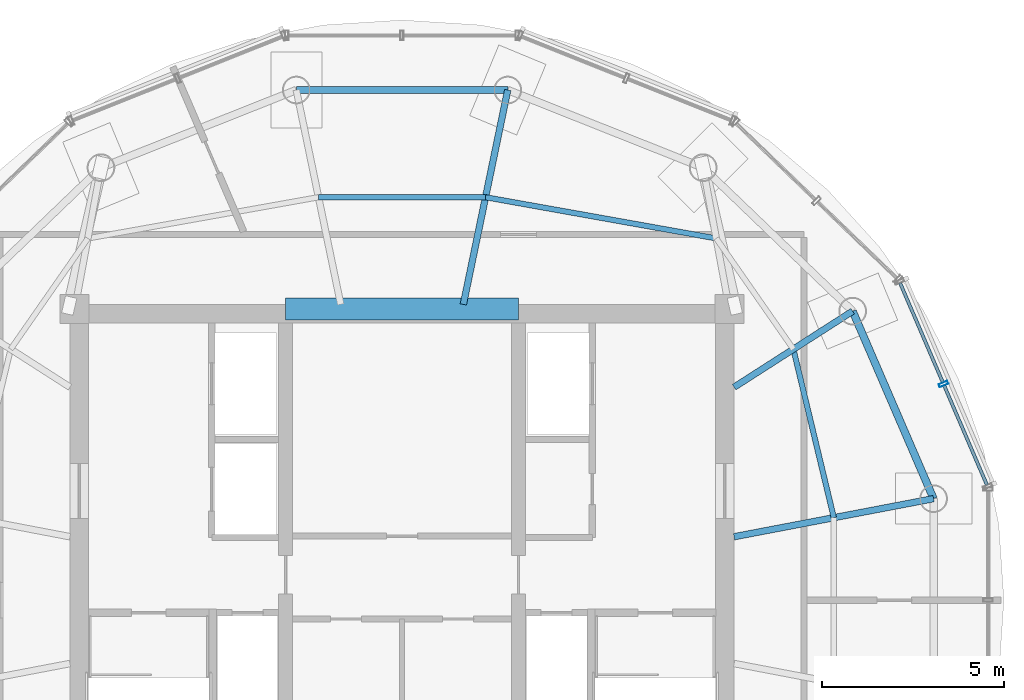
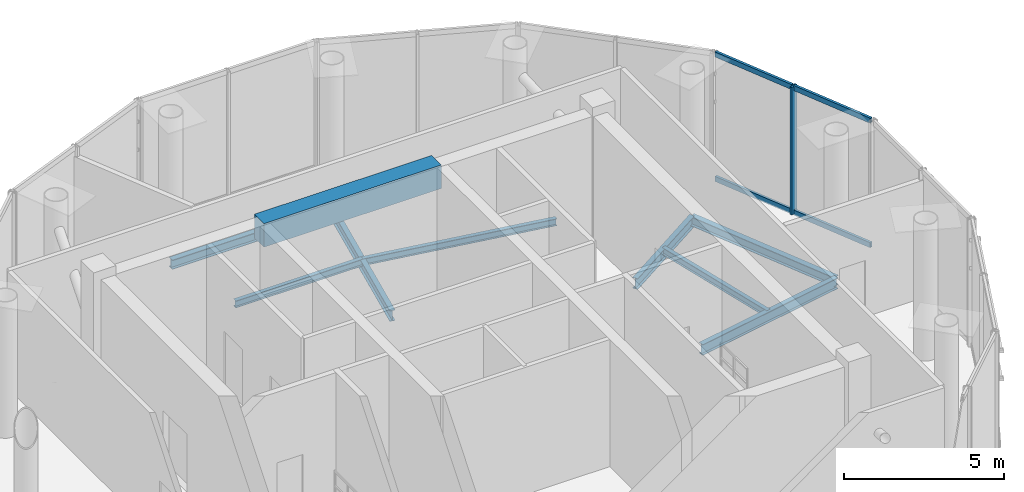
# One storey, part 7 of 13: 9 beams, 5 members, 1 element without a shape of its own.
"""IFC4 building model written with IfcOpenShell, lengths in metres."""

from ifc_helpers import new_model, si_unit, direction, frame, origin, origin_2d, place, context, subcontext, project, spatial, rectangle, hollow_rectangle, i_section, extrude, source, transform, mapped, material, material_profile, profile_set, type_object, element, aggregate, save


model = new_model("IFC4")

# Units and contexts
model_context = context("Model", 3, precision=1e-05, world=origin(), true_north=direction((-0.2419218956, 0.970295726276)))
body_context = subcontext(model_context, "Body", "Model", "MODEL_VIEW")
ifc_project = project(units=[si_unit("LENGTHUNIT", "METRE"), si_unit("AREAUNIT", "SQUARE_METRE"), si_unit("VOLUMEUNIT", "CUBIC_METRE"), si_unit("PLANEANGLEUNIT", "RADIAN"), si_unit("MASSUNIT", "GRAM", prefix="KILO")], contexts=[model_context])

# Site, building, storey
site_placement = place(None, origin())
site = spatial("IfcSite", under=ifc_project, at=site_placement, CompositionType="ELEMENT")
building_placement = place(site_placement, origin())
building = spatial("IfcBuilding", under=site, at=building_placement, Name="Cobrevalo Terracotta Tower", CompositionType="ELEMENT")
storey_placement = place(building_placement, frame((0.0, 0.0, 332.10009765625)))
storey = spatial("IfcBuildingStorey", under=building, at=storey_placement, Name="L85", CompositionType="ELEMENT", Elevation=332.10009765625)

# Beams
ifc_material_1 = material(Name="Concrete C60", Category="concrete")
ifc_material_profile_1 = material_profile(ifc_material_1, rectangle(XDim=0.60009765625, YDim=0.89990234375, at=origin_2d()), Name="RC CB 600x900")
ifc_profile_set_1 = profile_set([ifc_material_profile_1], Name="Concrete C60")
beam_type_1 = type_object("IfcBeamType", Name="Structural Beam RC CB 600x900 (Concrete C60)", PredefinedType="BEAM", material=ifc_profile_set_1)
beam_1_placement = place(storey_placement, frame((34.800048828125, 34.800048828125, 4.39990234375), z_axis=(1.0, 0.0, 0.0), x_axis=(0.0, 1.0, 0.0)))
element("IfcBeam", 1, at=beam_1_placement, inside=storey, type_object=beam_type_1, Name="L85 core coupling beam 2", PredefinedType="BEAM", context=body_context, shape_type="SweptSolid", body=[
    extrude(rectangle(XDim=0.60009765625, YDim=0.89990234375, at=origin_2d()), origin(), (0.0, 0.0, 1.0), 6.39990234375),
])
ifc_material_2 = material(Name="Steel S355", Category="steel")
ifc_material_profile_2 = material_profile(ifc_material_2, i_section(OverallWidth=0.179931640625, OverallDepth=0.4130859375, WebThickness=0.009765625, FlangeThickness=0.01611328125, at=origin_2d()), Name="W 410x75")
ifc_profile_set_2 = profile_set([ifc_material_profile_2], Name="Steel S355")
beam_type_2 = type_object("IfcBeamType", Name="Structural Beam W 410x75 (Steel S355)", PredefinedType="BEAM", material=ifc_profile_set_2)
beam_2_placement = place(storey_placement, frame((52.61376953125, 29.58984375, -0.626708984375), z_axis=(-0.982261932892, -0.187513986655, 0.0), x_axis=(0.187513986655, -0.982261932892, 0.0)))
element("IfcBeam", 2, at=beam_2_placement, inside=storey, type_object=beam_type_2, Name="L85 radial floor girder 01", PredefinedType="BEAM", context=body_context, shape_type="SweptSolid", body=[
    extrude(i_section(OverallWidth=0.179931640625, OverallDepth=0.4130859375, WebThickness=0.009765625, FlangeThickness=0.01611328125, at=origin_2d()), origin(), (0.0, 0.0, 1.0), 5.5830078125),
])
beam_3_placement = place(storey_placement, frame((50.388916015625, 34.74462890625, -0.626708984375), z_axis=(-0.841794646381, -0.539797900444, 0.0), x_axis=(0.539797900444, -0.841794646381, 0.0)))
element("IfcBeam", 3, at=beam_3_placement, inside=storey, type_object=beam_type_2, Name="L85 radial floor girder 02", PredefinedType="BEAM", context=body_context, shape_type="SweptSolid", body=[
    extrude(i_section(OverallWidth=0.179931640625, OverallDepth=0.4130859375, WebThickness=0.009765625, FlangeThickness=0.01611328125, at=origin_2d()), origin(), (0.0, 0.0, 1.0), 3.87158203125),
])
beam_4_placement = place(storey_placement, frame((40.90673828125, 40.8251953125, -0.626708984375), z_axis=(-0.202919370173, -0.979195449953, 0.0), x_axis=(0.979195449953, -0.202919370173, 0.0)))
element("IfcBeam", 4, at=beam_4_placement, inside=storey, type_object=beam_type_2, Name="L85 radial floor girder 04", PredefinedType="BEAM", context=body_context, shape_type="SweptSolid", body=[
    extrude(i_section(OverallWidth=0.179931640625, OverallDepth=0.4130859375, WebThickness=0.009765625, FlangeThickness=0.01611328125, at=origin_2d()), origin(), (0.0, 0.0, 1.0), 6.0205078125),
])
ifc_material_profile_3 = material_profile(ifc_material_2, i_section(OverallWidth=0.14794921875, OverallDepth=0.26611328125, WebThickness=0.007568359375, FlangeThickness=0.012939453125, at=origin_2d()), Name="W 250x44.8")
ifc_profile_set_3 = profile_set([ifc_material_profile_3], Name="Steel S355")
beam_type_3 = type_object("IfcBeamType", Name="Structural Joist W 250x44.8 (Steel S355)", PredefinedType="JOIST", material=ifc_profile_set_3)
beam_5_placement = place(storey_placement, frame((49.871826171875, 29.06640625, -0.552978515625), z_axis=(-0.233434963284, 0.972372417295, 0.0), x_axis=(-0.972372417295, -0.233434963284, 0.0)))
element("IfcBeam", 5, at=beam_5_placement, inside=storey, type_object=beam_type_3, Name="L85 circumferential secondary floor joist 01", PredefinedType="JOIST", context=body_context, shape_type="SweptSolid", body=[
    extrude(i_section(OverallWidth=0.14794921875, OverallDepth=0.26611328125, WebThickness=0.007568359375, FlangeThickness=0.012939453125, at=origin_2d()), origin(), (0.0, 0.0, 1.0), 4.764892578125),
])
beam_6_placement = place(storey_placement, frame((46.638916015625, 36.7451171875, -0.552978515625), z_axis=(-0.984430619707, 0.175773590117, 0.0), x_axis=(-0.175773590117, -0.984430619707, 0.0)))
element("IfcBeam", 6, at=beam_6_placement, inside=storey, type_object=beam_type_3, Name="L85 circumferential secondary floor joist 03", PredefinedType="JOIST", context=body_context, shape_type="SweptSolid", body=[
    extrude(i_section(OverallWidth=0.14794921875, OverallDepth=0.26611328125, WebThickness=0.007568359375, FlangeThickness=0.012939453125, at=origin_2d()), origin(), (0.0, 0.0, 1.0), 6.443359375),
])
beam_7_placement = place(storey_placement, frame((40.2958984375, 37.877685546875, -0.552978515625), z_axis=(-1.0, 0.0, 0.0), x_axis=(0.0, -1.0, 0.0)))
element("IfcBeam", 7, at=beam_7_placement, inside=storey, type_object=beam_type_3, Name="L85 circumferential secondary floor joist 04", PredefinedType="JOIST", context=body_context, shape_type="SweptSolid", body=[
    extrude(i_section(OverallWidth=0.14794921875, OverallDepth=0.26611328125, WebThickness=0.007568359375, FlangeThickness=0.012939453125, at=origin_2d()), origin(), (0.0, 0.0, 1.0), 4.591796875),
])
ifc_material_profile_4 = material_profile(ifc_material_2, i_section(OverallWidth=0.205078125, OverallDepth=0.35400390625, WebThickness=0.009521484375, FlangeThickness=0.016845703125, at=origin_2d()), Name="W 360x79")
ifc_profile_set_4 = profile_set([ifc_material_profile_4], Name="Steel S355")
beam_type_4 = type_object("IfcBeamType", Name="Structural Spandrel W 360x79 (Steel S355)", PredefinedType="SPANDREL", material=ifc_profile_set_4)
beam_8_placement = place(storey_placement, frame((52.61376953125, 29.58984375, -0.59716796875), z_axis=(-0.396274415101, 0.918132118999, 0.0), x_axis=(-0.918132118999, -0.396274415101, 0.0)))
element("IfcBeam", 8, at=beam_8_placement, inside=storey, type_object=beam_type_4, Name="L85 perimeter ring spandrel 01", PredefinedType="SPANDREL", context=body_context, shape_type="SweptSolid", body=[
    extrude(i_section(OverallWidth=0.205078125, OverallDepth=0.35400390625, WebThickness=0.009521484375, FlangeThickness=0.016845703125, at=origin_2d()), origin(), (0.0, 0.0, 1.0), 5.614501953125),
])
beam_9_placement = place(storey_placement, frame((40.90673828125, 40.8251953125, -0.59716796875), z_axis=(-1.0, 0.0, 0.0), x_axis=(0.0, -1.0, 0.0)))
element("IfcBeam", 9, at=beam_9_placement, inside=storey, type_object=beam_type_4, Name="L85 perimeter ring spandrel 04", PredefinedType="SPANDREL", context=body_context, shape_type="SweptSolid", body=[
    extrude(i_section(OverallWidth=0.205078125, OverallDepth=0.35400390625, WebThickness=0.009521484375, FlangeThickness=0.016845703125, at=origin_2d()), origin(), (0.0, 0.0, 1.0), 5.8134765625),
])

# Curtain wall, members
ifc_material_3 = material(Name="Anodized aluminium", Category="aluminium")
curtain_wall_type = type_object("IfcCurtainWallType", Name="Faceted glass-point crown structural glazing system CW-CR", PredefinedType="NOTDEFINED", material=ifc_material_3)
curtain_wall_placement = place(storey_placement, origin())
curtain_wall = element("IfcCurtainWall", 10, at=curtain_wall_placement, inside=storey, type_object=curtain_wall_type, Name="L85 curtain wall CW-CRN-L85-S01", PredefinedType="NOTDEFINED")
ifc_material_profile_5 = material_profile(ifc_material_3, hollow_rectangle(XDim=0.090087890625, YDim=0.195068359375, WallThickness=0.005615234375, at=origin_2d()), Name="CWT 90x195")
ifc_profile_set_5 = profile_set([ifc_material_profile_5], Name="Anodized aluminium")
member_type_1 = type_object("IfcMemberType", Name="Crown structural aluminium transom 90x195", PredefinedType="USERDEFINED", material=ifc_profile_set_5)
shared_shape_1 = source(origin(), body_context, "Body", "SweptSolid", [
    extrude(hollow_rectangle(XDim=0.090087890625, YDim=0.195068359375, WallThickness=0.005615234375, at=origin_2d()), origin(), (0.0, 0.0, 1.0), 2.98583984375),
])
member_1_placement = place(storey_placement, frame((54.082763671875, 29.961669921875, 0.0498046875), z_axis=(-0.394925619427, 0.918713097284, 0.0), x_axis=(-0.918713097284, -0.394925619427, 0.0)))
member_1 = element("IfcMember", 11, at=member_1_placement, type_object=member_type_1, Name="CW-CRN-L85-S01 transom B01-T1", ObjectType="TRANSOM", PredefinedType="USERDEFINED", context=body_context, shape_type="MappedRepresentation", body=[
    mapped(shared_shape_1, transform((0.0, 0.0, 0.0), scale=1.0)),
])
member_2_placement = place(storey_placement, frame((54.082763671875, 29.961669921875, 4.7998046875), z_axis=(-0.394925619427, 0.918713097284, 0.0), x_axis=(-0.918713097284, -0.394925619427, 0.0)))
member_2 = element("IfcMember", 12, at=member_2_placement, type_object=member_type_1, Name="CW-CRN-L85-S01 transom B01-T2", ObjectType="TRANSOM", PredefinedType="USERDEFINED", context=body_context, shape_type="MappedRepresentation", body=[
    mapped(shared_shape_1, transform((0.0, 0.0, 0.0), scale=1.0)),
])
shared_shape_2 = source(origin(), body_context, "Body", "SweptSolid", [
    extrude(hollow_rectangle(XDim=0.090087890625, YDim=0.195068359375, WallThickness=0.005615234375, at=origin_2d()), origin(), (0.0, 0.0, 1.0), 2.985595703125),
])
member_3_placement = place(storey_placement, frame((52.871826171875, 32.7783203125, 0.0498046875), z_axis=(-0.39495528775, 0.918700343245, 0.0), x_axis=(-0.918700343245, -0.39495528775, 0.0)))
member_3 = element("IfcMember", 13, at=member_3_placement, type_object=member_type_1, Name="CW-CRN-L85-S01 transom B02-T1", ObjectType="TRANSOM", PredefinedType="USERDEFINED", context=body_context, shape_type="MappedRepresentation", body=[
    mapped(shared_shape_2, transform((0.0, 0.0, 0.0), scale=1.0)),
])
member_4_placement = place(storey_placement, frame((52.871826171875, 32.7783203125, 4.7998046875), z_axis=(-0.39495528775, 0.918700343245, 0.0), x_axis=(-0.918700343245, -0.39495528775, 0.0)))
member_4 = element("IfcMember", 14, at=member_4_placement, type_object=member_type_1, Name="CW-CRN-L85-S01 transom B02-T2", ObjectType="TRANSOM", PredefinedType="USERDEFINED", context=body_context, shape_type="MappedRepresentation", body=[
    mapped(shared_shape_2, transform((0.0, 0.0, 0.0), scale=1.0)),
])
ifc_material_profile_6 = material_profile(ifc_material_3, hollow_rectangle(XDim=0.090087890625, YDim=0.260009765625, WallThickness=0.006103515625, at=origin_2d()), Name="CWM 90x260")
ifc_profile_set_6 = profile_set([ifc_material_profile_6], Name="Anodized aluminium")
member_type_2 = type_object("IfcMemberType", Name="Crown structural glass mullion 90x260", PredefinedType="MULLION", material=ifc_profile_set_6)
shared_shape_3 = source(origin(), body_context, "Body", "SweptSolid", [
    extrude(hollow_rectangle(XDim=0.090087890625, YDim=0.260009765625, WallThickness=0.006103515625, at=origin_2d()), origin(), (0.0, 0.0, 1.0), 4.849853515625),
])
member_5_placement = place(storey_placement, frame((52.8876953125, 32.741455078125, 0.0), z_axis=(0.0, 0.0, 1.0), x_axis=(-0.394968347643, 0.918694728602, 0.0)))
member_5 = element("IfcMember", 15, at=member_5_placement, type_object=member_type_2, Name="CW-CRN-L85-S01 vertical mullion 02", PredefinedType="MULLION", context=body_context, shape_type="MappedRepresentation", body=[
    mapped(shared_shape_3, transform((0.0, 0.0, 0.0), scale=1.0)),
])
aggregate(curtain_wall, [member_5, member_1, member_2, member_3, member_4])

save(model, "model.ifc")
